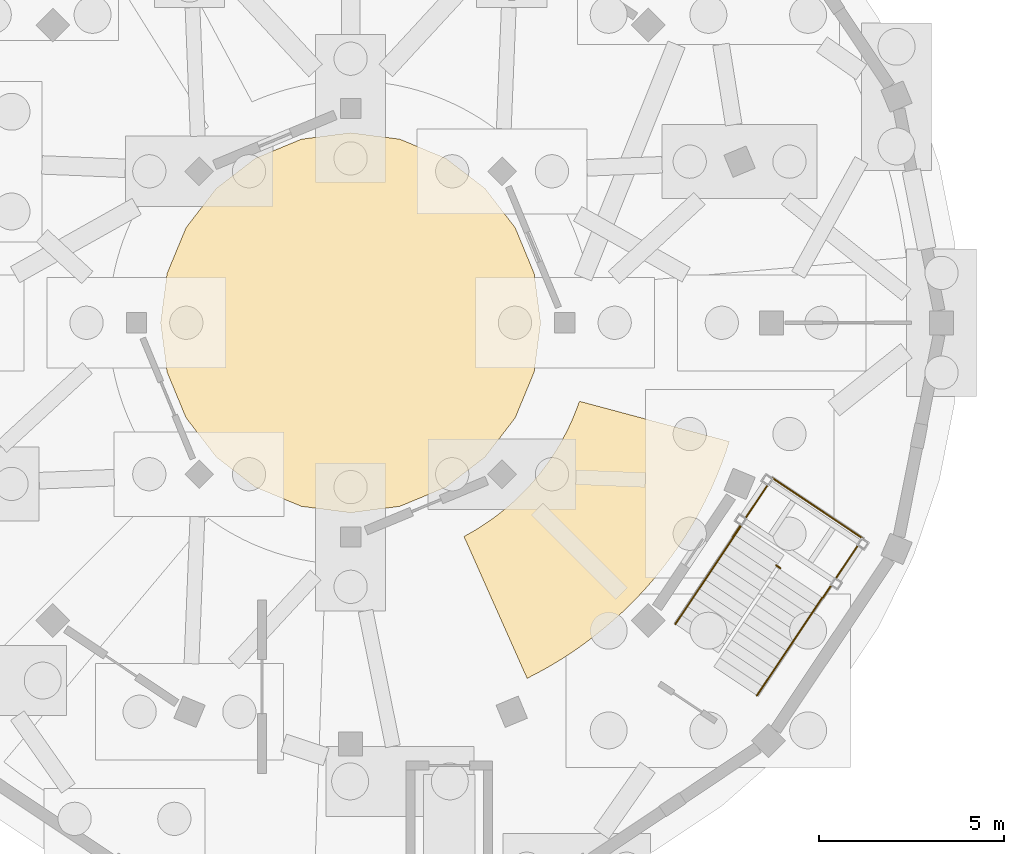
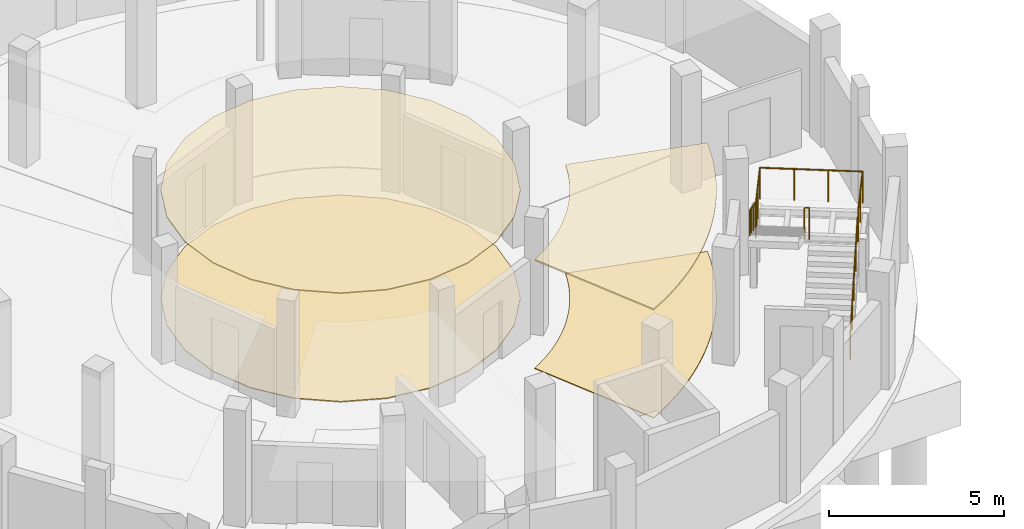
# One storey, part 52 of 58: 4 coverings, 4 railings.
"""IFC4 building model written with IfcOpenShell, lengths in metres."""

from ifc_helpers import new_model, si_unit, direction, frame, origin, origin_2d, place, context, subcontext, project, spatial, polyline, circle, outline, extrude, material, layer, layer_set, type_object, element, save


model = new_model("IFC4")

# Units and contexts
model_context = context("Model", 3, precision=1e-05, world=origin(), true_north=direction((0.0, 1.0)))
body_context = subcontext(model_context, "Body", "Model", "MODEL_VIEW")
ifc_project = project(units=[si_unit("LENGTHUNIT", "METRE"), si_unit("AREAUNIT", "SQUARE_METRE"), si_unit("VOLUMEUNIT", "CUBIC_METRE"), si_unit("PLANEANGLEUNIT", "RADIAN"), si_unit("MASSUNIT", "GRAM", prefix="KILO")], contexts=[model_context])

# Site, building, storey
site_placement = place(None, origin())
site = spatial("IfcSite", under=ifc_project, at=site_placement, CompositionType="ELEMENT")
building_placement = place(site_placement, origin())
building = spatial("IfcBuilding", under=site, at=building_placement, Name="Caldaven Crescent School", CompositionType="ELEMENT")
storey_placement = place(building_placement, frame((0.0, 0.0, -4.080078125)))
storey = spatial("IfcBuildingStorey", under=building, at=storey_placement, Name="B1", CompositionType="ELEMENT", Elevation=-4.080078125)

# Coverings
ifc_material_1 = material(Name="Perforated Pino Radiata acoustic timber baffle ceiling", Category="wood")
ifc_layer_1 = layer(ifc_material_1, 0.0380859375)
ifc_layer_set_1 = layer_set([ifc_layer_1], Name="Perforated Pino Radiata acoustic timber baffle ceiling")
covering_type_1 = type_object("IfcCoveringType", Name="COV-CLG2", PredefinedType="CEILING", material=ifc_layer_set_1)
covering_1_placement = place(storey_placement, frame((0.0, 0.0, 3.781982421875)))
element("IfcCovering", 1, at=covering_1_placement, inside=storey, type_object=covering_type_1, Name="CLG-B1-017", PredefinedType="CEILING", context=body_context, shape_type="SweptSolid", body=[
    extrude(outline(polyline([(27.95654296875, 95.927001953125), (27.138916015625, 94.861083984375), (26.072998046875, 94.04345703125), (24.831787109375, 93.529296875), (23.5, 93.35400390625), (22.168212890625, 93.529296875), (20.927001953125, 94.04345703125), (19.861083984375, 94.861083984375), (19.04345703125, 95.927001953125), (18.529296875, 97.168212890625), (18.35400390625, 98.5), (18.529296875, 99.831787109375), (19.04345703125, 101.072998046875), (19.861083984375, 102.138916015625), (20.927001953125, 102.95654296875), (22.168212890625, 103.470703125), (23.5, 103.64599609375), (24.831787109375, 103.470703125), (26.072998046875, 102.95654296875), (27.138916015625, 102.138916015625), (27.95654296875, 101.072998046875), (28.470703125, 99.831787109375), (28.64599609375, 98.5), (28.470703125, 97.168212890625), (27.95654296875, 95.927001953125)])), origin(), (0.0, 0.0, 1.0), 0.0380859375),
])
ifc_layer_2 = layer(ifc_material_1, 0.053955078125)
ifc_layer_set_2 = layer_set([ifc_layer_2], Name="Perforated Pino Radiata acoustic timber baffle ceiling")
covering_type_2 = type_object("IfcCoveringType", Name="COV-CLG4", PredefinedType="CEILING", material=ifc_layer_set_2)
covering_2_placement = place(storey_placement, frame((0.0, 0.0, 3.76611328125)))
element("IfcCovering", 2, at=covering_2_placement, inside=storey, type_object=covering_type_2, Name="CLG-B1-019", PredefinedType="CEILING", context=body_context, shape_type="SweptSolid", body=[
    extrude(outline(polyline([(26.573974609375, 92.71630859375), (26.7568359375, 92.817138671875), (26.770263671875, 92.82470703125), (26.949462890625, 92.931884765625), (26.96240234375, 92.93994140625), (27.137939453125, 93.05322265625), (27.15087890625, 93.06201171875), (27.322509765625, 93.18115234375), (27.334716796875, 93.18994140625), (27.502197265625, 93.31494140625), (27.514404296875, 93.32421875), (27.67724609375, 93.454833984375), (27.689208984375, 93.46484375), (27.84765625, 93.60107421875), (27.85888671875, 93.611083984375), (28.0126953125, 93.752685546875), (28.023681640625, 93.76318359375), (28.172607421875, 93.909912109375), (28.183349609375, 93.9208984375), (28.326904296875, 94.072509765625), (28.33740234375, 94.083984375), (28.4755859375, 94.240478515625), (28.485595703125, 94.251953125), (28.618408203125, 94.4130859375), (28.628173828125, 94.425048828125), (28.75537109375, 94.590576171875), (28.7646484375, 94.60302734375), (28.88623046875, 94.77294921875), (28.89501953125, 94.785400390625), (29.010498046875, 94.95947265625), (29.018798828125, 94.972412109375), (29.12841796875, 95.150146484375), (29.136474609375, 95.163330078125), (29.239990234375, 95.3447265625), (29.247314453125, 95.3583984375), (29.344482421875, 95.543212890625), (29.351318359375, 95.556640625), (29.442138671875, 95.74462890625), (29.44873046875, 95.7587890625), (29.533203125, 95.94970703125), (29.539306640625, 95.964111328125), (29.616943359375, 96.157958984375), (29.622314453125, 96.172119140625), (29.693359375, 96.36865234375), (29.6953125, 96.3740234375), (33.757080078125, 95.285888671875), (33.6689453125, 95.013916015625), (33.543701171875, 94.667724609375), (33.40673828125, 94.326416015625), (33.258056640625, 93.989501953125), (33.097900390625, 93.658203125), (32.926513671875, 93.33251953125), (32.744140625, 93.012939453125), (32.55078125, 92.69970703125), (32.346923828125, 92.393310546875), (32.1328125, 92.093994140625), (31.908447265625, 91.802490234375), (31.67431640625, 91.5185546875), (31.4306640625, 91.24267578125), (31.177490234375, 90.9755859375), (30.91552734375, 90.71728515625), (30.644775390625, 90.468017578125), (30.365478515625, 90.22802734375), (30.07861328125, 89.998046875), (29.783447265625, 89.77783203125), (29.4814453125, 89.56787109375), (29.172119140625, 89.368408203125), (28.856201171875, 89.179443359375), (28.533935546875, 89.001708984375), (28.279296875, 88.8720703125), (26.56884765625, 92.71337890625), (26.573974609375, 92.71630859375)])), origin(), (0.0, 0.0, 1.0), 0.053955078125),
])
ifc_material_2 = material(Name="Polished terrazzo and acoustic linoleum flooring")
ifc_layer_3 = layer(ifc_material_2, 0.02587890625)
ifc_layer_set_3 = layer_set([ifc_layer_3], Name="Polished terrazzo and acoustic linoleum flooring")
covering_type_3 = type_object("IfcCoveringType", Name="COV-FLR2", PredefinedType="FLOORING", material=ifc_layer_set_3)
covering_3_placement = place(storey_placement, origin())
element("IfcCovering", 3, at=covering_3_placement, inside=storey, type_object=covering_type_3, Name="FLR-B1-019", PredefinedType="FLOORING", context=body_context, shape_type="SweptSolid", body=[
    extrude(outline(polyline([(26.56884765625, 92.71337890625), (26.573974609375, 92.71630859375), (26.7568359375, 92.817138671875), (26.770263671875, 92.82470703125), (26.949462890625, 92.931884765625), (26.96240234375, 92.93994140625), (27.137939453125, 93.05322265625), (27.15087890625, 93.06201171875), (27.322509765625, 93.18115234375), (27.334716796875, 93.18994140625), (27.502197265625, 93.31494140625), (27.514404296875, 93.32421875), (27.67724609375, 93.454833984375), (27.689208984375, 93.46484375), (27.84765625, 93.60107421875), (27.85888671875, 93.611083984375), (28.0126953125, 93.752685546875), (28.023681640625, 93.76318359375), (28.172607421875, 93.909912109375), (28.183349609375, 93.9208984375), (28.326904296875, 94.072509765625), (28.33740234375, 94.083984375), (28.4755859375, 94.240478515625), (28.485595703125, 94.251953125), (28.618408203125, 94.4130859375), (28.628173828125, 94.425048828125), (28.75537109375, 94.590576171875), (28.7646484375, 94.60302734375), (28.88623046875, 94.77294921875), (28.89501953125, 94.785400390625), (29.010498046875, 94.95947265625), (29.018798828125, 94.972412109375), (29.12841796875, 95.150146484375), (29.136474609375, 95.163330078125), (29.239990234375, 95.3447265625), (29.247314453125, 95.3583984375), (29.344482421875, 95.543212890625), (29.351318359375, 95.556640625), (29.442138671875, 95.74462890625), (29.44873046875, 95.7587890625), (29.533203125, 95.94970703125), (29.539306640625, 95.964111328125), (29.616943359375, 96.157958984375), (29.622314453125, 96.172119140625), (29.693359375, 96.36865234375), (29.6953125, 96.3740234375), (33.757080078125, 95.285888671875), (33.6689453125, 95.013916015625), (33.543701171875, 94.667724609375), (33.40673828125, 94.326416015625), (33.258056640625, 93.989501953125), (33.097900390625, 93.658203125), (32.926513671875, 93.33251953125), (32.744140625, 93.012939453125), (32.55078125, 92.69970703125), (32.346923828125, 92.393310546875), (32.1328125, 92.093994140625), (31.908447265625, 91.802490234375), (31.67431640625, 91.5185546875), (31.4306640625, 91.24267578125), (31.177490234375, 90.9755859375), (30.91552734375, 90.71728515625), (30.644775390625, 90.468017578125), (30.365478515625, 90.22802734375), (30.07861328125, 89.998046875), (29.783447265625, 89.77783203125), (29.4814453125, 89.56787109375), (29.172119140625, 89.368408203125), (28.856201171875, 89.179443359375), (28.533935546875, 89.001708984375), (28.279296875, 88.8720703125), (26.56884765625, 92.71337890625)])), origin(), (0.0, 0.0, 1.0), 0.026123046875),
])
ifc_layer_4 = layer(ifc_material_2, 0.031982421875)
ifc_layer_set_4 = layer_set([ifc_layer_4], Name="Polished terrazzo and acoustic linoleum flooring")
covering_type_4 = type_object("IfcCoveringType", Name="COV-FLR3", PredefinedType="FLOORING", material=ifc_layer_set_4)
covering_4_placement = place(storey_placement, origin())
element("IfcCovering", 4, at=covering_4_placement, inside=storey, type_object=covering_type_4, Name="FLR-B1-017", PredefinedType="FLOORING", context=body_context, shape_type="SweptSolid", body=[
    extrude(outline(polyline([(28.470703125, 97.168212890625), (27.95654296875, 95.927001953125), (27.138916015625, 94.861083984375), (26.072998046875, 94.04345703125), (24.831787109375, 93.529296875), (23.5, 93.35400390625), (22.168212890625, 93.529296875), (20.927001953125, 94.04345703125), (19.861083984375, 94.861083984375), (19.04345703125, 95.927001953125), (18.529296875, 97.168212890625), (18.35400390625, 98.5), (18.529296875, 99.831787109375), (19.04345703125, 101.072998046875), (19.861083984375, 102.138916015625), (20.927001953125, 102.95654296875), (22.168212890625, 103.470703125), (23.5, 103.64599609375), (24.831787109375, 103.470703125), (26.072998046875, 102.95654296875), (27.138916015625, 102.138916015625), (27.95654296875, 101.072998046875), (28.470703125, 99.831787109375), (28.64599609375, 98.5), (28.470703125, 97.168212890625)])), origin(), (0.0, 0.0, 1.0), 0.031982421875),
])

# Railings
ifc_material_3 = material(Name="Brushed stainless-steel continuous tubular handrail", Category="steel")
railing_type_1 = type_object("IfcRailingType", Name="RAL-HR2", PredefinedType="HANDRAIL", material=ifc_material_3)
railing_1_placement = place(storey_placement, frame((34.501708984375, 88.40673828125, 0.173095703125)))
element("IfcRailing", 5, at=railing_1_placement, inside=storey, type_object=railing_type_1, Name="HR-STB1-B1-F1", PredefinedType="HANDRAIL", context=body_context, shape_type="SweptSolid", body=[
    extrude(circle(Radius=0.02392578125, at=origin_2d()), frame((0.0, 0.0, 0.8759765625), z_axis=(0.479290870467, 0.71731864124, 0.505701718819), x_axis=(-0.831472890433, 0.555565326919, 0.0)), (0.0, 0.0, 1.0), 3.697509765625),
    extrude(circle(Radius=0.02099609375, at=origin_2d()), origin(), (0.0, 0.0, 1.0), 0.851806640625),
    extrude(circle(Radius=0.02099609375, at=origin_2d()), frame((0.443115234375, 0.6630859375, 0.467529296875)), (0.0, 0.0, 1.0), 0.851806640625),
    extrude(circle(Radius=0.02099609375, at=origin_2d()), frame((0.88623046875, 1.326171875, 0.93505859375)), (0.0, 0.0, 1.0), 0.851806640625),
    extrude(circle(Radius=0.02099609375, at=origin_2d()), frame((1.3291015625, 1.9892578125, 1.40234375)), (0.0, 0.0, 1.0), 0.851806640625),
    extrude(circle(Radius=0.02099609375, at=origin_2d()), frame((1.772216796875, 2.65234375, 1.869873046875)), (0.0, 0.0, 1.0), 0.851806640625),
])
railing_2_placement = place(storey_placement, frame((34.0654296875, 92.991943359375, 2.213134765625)))
element("IfcRailing", 6, at=railing_2_placement, inside=storey, type_object=railing_type_1, Name="HR-STB1-B1-F2", PredefinedType="HANDRAIL", context=body_context, shape_type="SweptSolid", body=[
    extrude(circle(Radius=0.02392578125, at=origin_2d()), frame((0.0, 0.0, 0.8759765625), z_axis=(-0.479290870467, -0.71731864124, 0.505701718819), x_axis=(0.831472890433, -0.555565326919, 0.0)), (0.0, 0.0, 1.0), 3.697509765625),
    extrude(circle(Radius=0.02099609375, at=origin_2d()), origin(), (0.0, 0.0, 1.0), 0.851806640625),
    extrude(circle(Radius=0.02099609375, at=origin_2d()), frame((-0.443115234375, -0.6630859375, 0.467529296875)), (0.0, 0.0, 1.0), 0.851806640625),
    extrude(circle(Radius=0.02099609375, at=origin_2d()), frame((-0.88623046875, -1.326171875, 0.93505859375)), (0.0, 0.0, 1.0), 0.851806640625),
    extrude(circle(Radius=0.02099609375, at=origin_2d()), frame((-1.3291015625, -1.9892578125, 1.40234375)), (0.0, 0.0, 1.0), 0.851806640625),
    extrude(circle(Radius=0.02099609375, at=origin_2d()), frame((-1.772216796875, -2.65234375, 1.869873046875)), (0.0, 0.0, 1.0), 0.851806640625),
])
ifc_material_4 = material(Name="Powder-coated tubular steel balustrade ASTM A572 Grade 50", Category="steel")
railing_type_2 = type_object("IfcRailingType", Name="RAL-INT2", PredefinedType="BALUSTRADE", material=ifc_material_4)
railing_3_placement = place(storey_placement, frame((36.286376953125, 91.05078125, 2.0400390625)))
element("IfcRailing", 7, at=railing_3_placement, inside=storey, type_object=railing_type_2, Name="GD-LND-STB1-B1", PredefinedType="BALUSTRADE", context=body_context, shape_type="SweptSolid", body=[
    extrude(circle(Radius=0.02392578125, at=origin_2d()), frame((0.0, 0.0, 1.09619140625), z_axis=(0.555600138331, 0.831449629434, 0.0), x_axis=(-0.831449629434, 0.555600138331, 0.0)), (0.0, 0.0, 1.0), 1.93994140625),
    extrude(circle(Radius=0.02392578125, at=origin_2d()), frame((1.077880859375, 1.613037109375, 1.09619140625), z_axis=(-0.831449385589, 0.555600503243, 0.0), x_axis=(-0.555600503243, -0.831449385589, 0.0)), (0.0, 0.0, 1.0), 2.940185546875),
    extrude(circle(Radius=0.02392578125, at=origin_2d()), frame((-1.36669921875, 3.24658203125, 1.09619140625), z_axis=(-0.555600138331, -0.831449629434, 0.0), x_axis=(0.831449629434, -0.555600138331, 0.0)), (0.0, 0.0, 1.0), 1.93994140625),
    extrude(circle(Radius=0.02099609375, at=origin_2d()), origin(), (0.0, 0.0, 1.0), 1.072021484375),
    extrude(circle(Radius=0.02099609375, at=origin_2d()), frame((0.5390625, 0.806640625, 0.0)), (0.0, 0.0, 1.0), 1.072021484375),
    extrude(circle(Radius=0.02099609375, at=origin_2d()), frame((1.077880859375, 1.613037109375, 0.0)), (0.0, 0.0, 1.0), 1.072021484375),
    extrude(circle(Radius=0.02099609375, at=origin_2d()), frame((0.262939453125, 2.157470703125, 0.0)), (0.0, 0.0, 1.0), 1.072021484375),
    extrude(circle(Radius=0.02099609375, at=origin_2d()), frame((-0.5517578125, 2.7021484375, 0.0)), (0.0, 0.0, 1.0), 1.072021484375),
    extrude(circle(Radius=0.02099609375, at=origin_2d()), frame((-1.36669921875, 3.24658203125, 0.0)), (0.0, 0.0, 1.0), 1.072021484375),
    extrude(circle(Radius=0.02099609375, at=origin_2d()), frame((-1.90576171875, 2.43994140625, 0.0)), (0.0, 0.0, 1.0), 1.072021484375),
    extrude(circle(Radius=0.02099609375, at=origin_2d()), frame((-2.444580078125, 1.633544921875, 0.0)), (0.0, 0.0, 1.0), 1.072021484375),
])
railing_4_placement = place(storey_placement, frame((35.138916015625, 91.853515625, 2.0400390625)))
element("IfcRailing", 8, at=railing_4_placement, inside=storey, type_object=railing_type_2, Name="GD-SLT-STB1-B1", PredefinedType="BALUSTRADE", context=body_context, shape_type="SweptSolid", body=[
    extrude(circle(Radius=0.02392578125, at=origin_2d()), frame((0.0, 0.0, 1.09619140625), z_axis=(-0.831245118642, 0.555906064668, 0.0), x_axis=(-0.555906064668, -0.831245118642, 0.0)), (0.0, 0.0, 1.0), 0.14013671875),
    extrude(circle(Radius=0.02099609375, at=origin_2d()), origin(), (0.0, 0.0, 1.0), 1.072021484375),
    extrude(circle(Radius=0.02099609375, at=origin_2d()), frame((-0.116455078125, 0.077880859375, 0.0)), (0.0, 0.0, 1.0), 1.072021484375),
])

save(model, "model.ifc")
